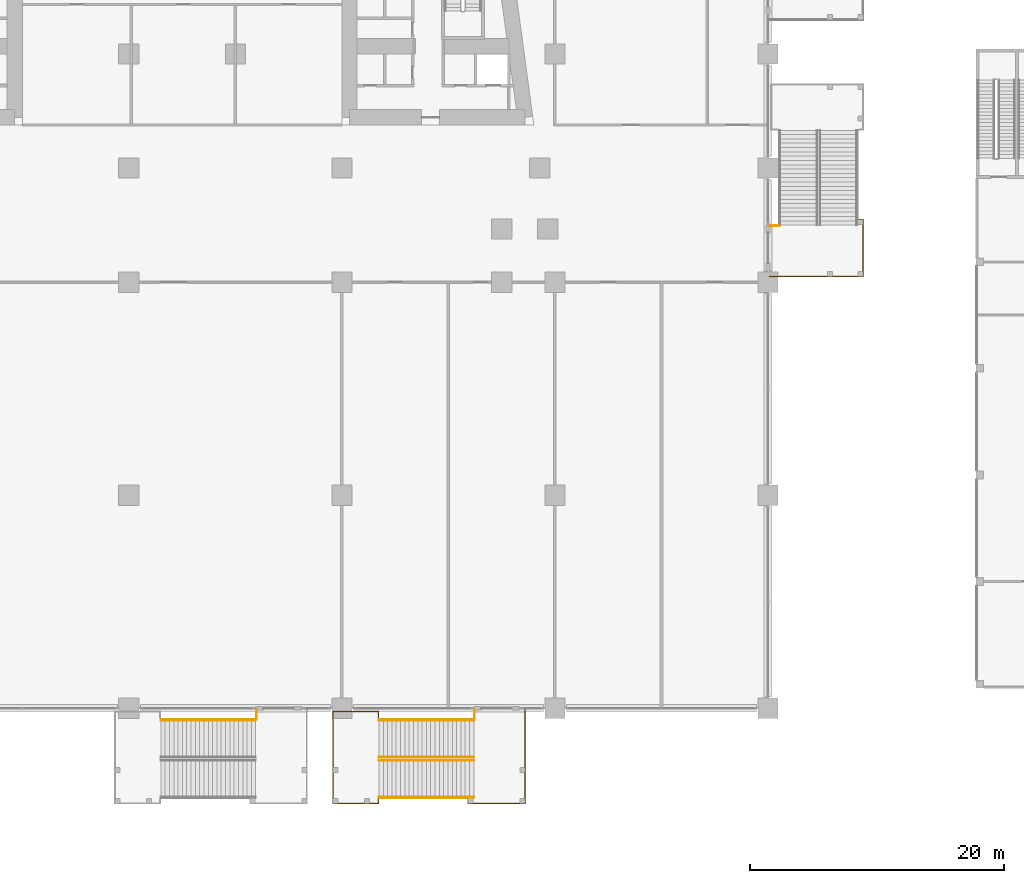
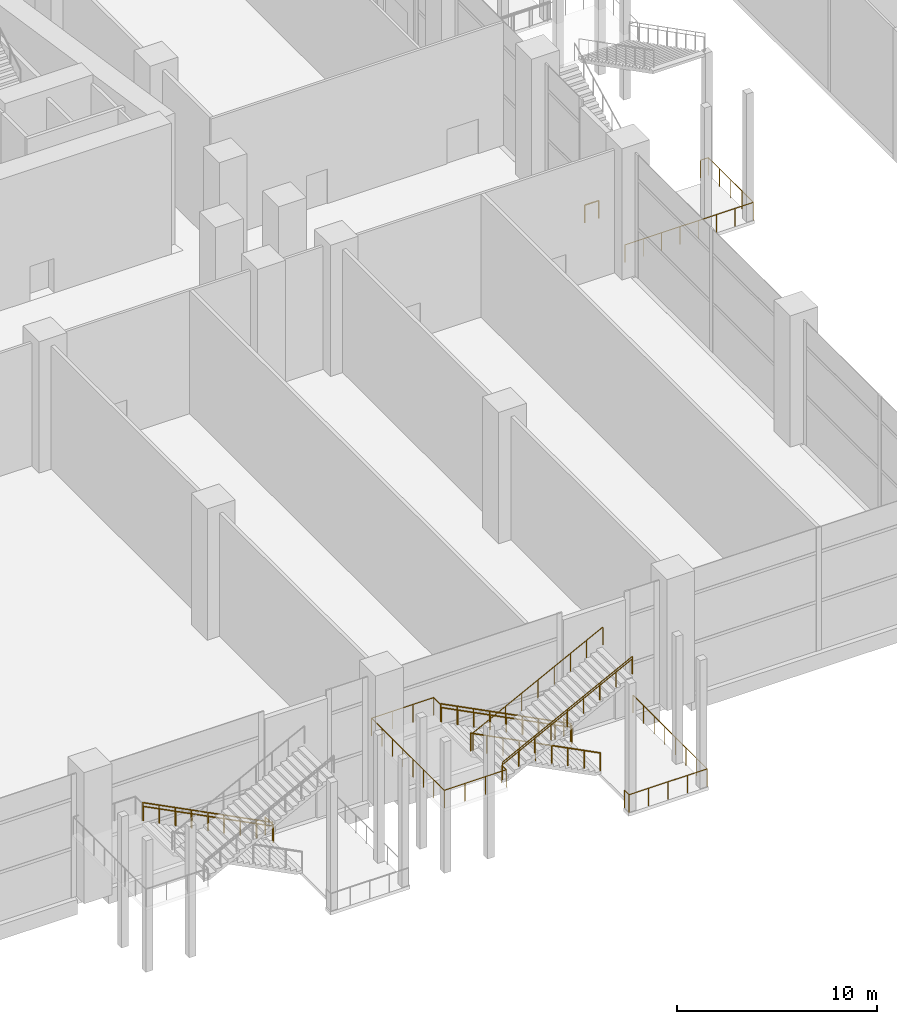
# One storey, part 41 of 52: 14 railings.
"""IFC4 building model written with IfcOpenShell, lengths in metres."""

from ifc_helpers import new_model, si_unit, direction, frame, origin, origin_2d, place, context, subcontext, project, spatial, circle, extrude, material, type_object, element, save


model = new_model("IFC4")

# Units and contexts
model_context = context("Model", 3, precision=1e-05, world=origin(), true_north=direction((0.0, 1.0)))
body_context = subcontext(model_context, "Body", "Model", "MODEL_VIEW")
ifc_project = project(units=[si_unit("LENGTHUNIT", "METRE"), si_unit("AREAUNIT", "SQUARE_METRE"), si_unit("VOLUMEUNIT", "CUBIC_METRE"), si_unit("PLANEANGLEUNIT", "RADIAN"), si_unit("MASSUNIT", "GRAM", prefix="KILO")], contexts=[model_context])

# Site, building, storey
site_placement = place(None, origin())
site = spatial("IfcSite", under=ifc_project, at=site_placement, CompositionType="ELEMENT")
building_placement = place(site_placement, origin())
building = spatial("IfcBuilding", under=site, at=building_placement, Name="Candeia Pilgrim Tower and Theatre", CompositionType="ELEMENT")
storey_placement = place(building_placement, frame((0.0, 0.0, 9.0)))
storey = spatial("IfcBuildingStorey", under=building, at=storey_placement, Name="L01", CompositionType="ELEMENT", Elevation=9.0)

# Railings
ifc_material_1 = material(Name="Stainless steel balustrade", Category="steel")
railing_type_1 = type_object("IfcRailingType", Name="RL-GUARD-1100", PredefinedType="GUARDRAIL", material=ifc_material_1)
railing_1_placement = place(storey_placement, frame((159.699951171875, 98.449951171875, 0.0)))
element("IfcRailing", 1, at=railing_1_placement, inside=storey, type_object=railing_type_1, Name="L01 External escape stair ES1 landing guard", PredefinedType="GUARDRAIL", context=body_context, shape_type="SweptSolid", body=[
    extrude(circle(Radius=0.02392578125, at=origin_2d()), frame((0.0, 0.0, 1.076171875), z_axis=(1.0, 0.0, 0.0), x_axis=(0.0, 1.0, 0.0)), (0.0, 0.0, 1.0), 7.400146484375),
    extrude(circle(Radius=0.02392578125, at=origin_2d()), frame((7.400146484375, 0.0, 1.076171875), z_axis=(0.0, 1.0, 0.0), x_axis=(-1.0, 0.0, 0.0)), (0.0, 0.0, 1.0), 4.5),
    extrude(circle(Radius=0.02392578125, at=origin_2d()), frame((7.400146484375, 4.5, 1.076171875), z_axis=(-1.0, 0.0, 0.0), x_axis=(0.0, -1.0, 0.0)), (0.0, 0.0, 1.0), 0.4501953125),
    extrude(circle(Radius=0.02099609375, at=origin_2d()), origin(), (0.0, 0.0, 1.0), 1.052001953125),
    extrude(circle(Radius=0.02099609375, at=origin_2d()), frame((1.05712890625, 0.0, 0.0)), (0.0, 0.0, 1.0), 1.052001953125),
    extrude(circle(Radius=0.02099609375, at=origin_2d()), frame((2.1142578125, 0.0, 0.0)), (0.0, 0.0, 1.0), 1.052001953125),
    extrude(circle(Radius=0.02099609375, at=origin_2d()), frame((3.17138671875, 0.0, 0.0)), (0.0, 0.0, 1.0), 1.052001953125),
    extrude(circle(Radius=0.02099609375, at=origin_2d()), frame((4.228759765625, 0.0, 0.0)), (0.0, 0.0, 1.0), 1.052001953125),
    extrude(circle(Radius=0.02099609375, at=origin_2d()), frame((5.285888671875, 0.0, 0.0)), (0.0, 0.0, 1.0), 1.052001953125),
    extrude(circle(Radius=0.02099609375, at=origin_2d()), frame((6.343017578125, 0.0, 0.0)), (0.0, 0.0, 1.0), 1.052001953125),
    extrude(circle(Radius=0.02099609375, at=origin_2d()), frame((7.400146484375, 0.0, 0.0)), (0.0, 0.0, 1.0), 1.052001953125),
    extrude(circle(Radius=0.02099609375, at=origin_2d()), frame((7.400146484375, 1.125, 0.0)), (0.0, 0.0, 1.0), 1.052001953125),
    extrude(circle(Radius=0.02099609375, at=origin_2d()), frame((7.400146484375, 2.25, 0.0)), (0.0, 0.0, 1.0), 1.052001953125),
    extrude(circle(Radius=0.02099609375, at=origin_2d()), frame((7.400146484375, 3.375, 0.0)), (0.0, 0.0, 1.0), 1.052001953125),
    extrude(circle(Radius=0.02099609375, at=origin_2d()), frame((7.400146484375, 4.5, 0.0)), (0.0, 0.0, 1.0), 1.052001953125),
    extrude(circle(Radius=0.02099609375, at=origin_2d()), frame((6.949951171875, 4.5, 0.0)), (0.0, 0.0, 1.0), 1.052001953125),
])
railing_2_placement = place(storey_placement, frame((159.699951171875, 102.449951171875, 0.0)))
element("IfcRailing", 2, at=railing_2_placement, inside=storey, type_object=railing_type_1, Name="L01 External escape stair ES1 bridge guard", PredefinedType="GUARDRAIL", context=body_context, shape_type="SweptSolid", body=[
    extrude(circle(Radius=0.02392578125, at=origin_2d()), frame((0.0, 0.0, 1.076171875), z_axis=(1.0, 0.0, 0.0), x_axis=(0.0, 1.0, 0.0)), (0.0, 0.0, 1.0), 0.800048828125),
    extrude(circle(Radius=0.02099609375, at=origin_2d()), origin(), (0.0, 0.0, 1.0), 1.052001953125),
    extrude(circle(Radius=0.02099609375, at=origin_2d()), frame((0.800048828125, 0.0, 0.0)), (0.0, 0.0, 1.0), 1.052001953125),
])
railing_3_placement = place(storey_placement, frame((119.199951171875, 63.5, 0.173828125)))
element("IfcRailing", 3, at=railing_3_placement, inside=storey, type_object=railing_type_1, Name="L01 ES9 stair guard 3", PredefinedType="GUARDRAIL", context=body_context, shape_type="SweptSolid", body=[
    extrude(circle(Radius=0.02392578125, at=origin_2d()), frame((0.0, 0.0, 1.076171875), z_axis=(-0.890286522184, 0.0, 0.455400821714), x_axis=(0.0, -1.0, 0.0)), (0.0, 0.0, 1.0), 8.40185546875),
    extrude(circle(Radius=0.02099609375, at=origin_2d()), origin(), (0.0, 0.0, 1.0), 1.052001953125),
    extrude(circle(Radius=0.02099609375, at=origin_2d()), frame((-0.93505859375, 0.0, 0.478271484375)), (0.0, 0.0, 1.0), 1.052001953125),
    extrude(circle(Radius=0.02099609375, at=origin_2d()), frame((-1.8701171875, 0.0, 0.95654296875)), (0.0, 0.0, 1.0), 1.052001953125),
    extrude(circle(Radius=0.02099609375, at=origin_2d()), frame((-2.804931640625, 0.0, 1.434814453125)), (0.0, 0.0, 1.0), 1.052001953125),
    extrude(circle(Radius=0.02099609375, at=origin_2d()), frame((-3.739990234375, 0.0, 1.9130859375)), (0.0, 0.0, 1.0), 1.052001953125),
    extrude(circle(Radius=0.02099609375, at=origin_2d()), frame((-4.675048828125, 0.0, 2.391357421875)), (0.0, 0.0, 1.0), 1.052001953125),
    extrude(circle(Radius=0.02099609375, at=origin_2d()), frame((-5.60986328125, 0.0, 2.86962890625)), (0.0, 0.0, 1.0), 1.052001953125),
    extrude(circle(Radius=0.02099609375, at=origin_2d()), frame((-6.544921875, 0.0, 3.347900390625)), (0.0, 0.0, 1.0), 1.052001953125),
    extrude(circle(Radius=0.02099609375, at=origin_2d()), frame((-7.47998046875, 0.0, 3.826171875)), (0.0, 0.0, 1.0), 1.052001953125),
])
railing_4_placement = place(storey_placement, frame((119.25, 64.300048828125, 0.0)))
element("IfcRailing", 4, at=railing_4_placement, inside=storey, type_object=railing_type_1, Name="L01 External escape stair ES9 bridge guard", PredefinedType="GUARDRAIL", context=body_context, shape_type="SweptSolid", body=[
    extrude(circle(Radius=0.02392578125, at=origin_2d()), frame((0.0, 0.0, 1.076171875), z_axis=(0.0, -1.0, 0.0), x_axis=(1.0, 0.0, 0.0)), (0.0, 0.0, 1.0), 0.800048828125),
    extrude(circle(Radius=0.02099609375, at=origin_2d()), origin(), (0.0, 0.0, 1.0), 1.052001953125),
    extrude(circle(Radius=0.02099609375, at=origin_2d()), frame((0.0, -0.800048828125, 0.0)), (0.0, 0.0, 1.0), 1.052001953125),
])
railing_5_placement = place(storey_placement, frame((136.39990234375, 60.550048828125, 0.173828125)))
element("IfcRailing", 5, at=railing_5_placement, inside=storey, type_object=railing_type_1, Name="L01 ES16 stair guard 1", PredefinedType="GUARDRAIL", context=body_context, shape_type="SweptSolid", body=[
    extrude(circle(Radius=0.02392578125, at=origin_2d()), frame((0.0, 0.0, 1.076171875), z_axis=(-0.890286522184, 0.0, 0.455400821714), x_axis=(0.0, -1.0, 0.0)), (0.0, 0.0, 1.0), 8.40185546875),
    extrude(circle(Radius=0.02099609375, at=origin_2d()), origin(), (0.0, 0.0, 1.0), 1.052001953125),
    extrude(circle(Radius=0.02099609375, at=origin_2d()), frame((-0.93505859375, 0.0, 0.478271484375)), (0.0, 0.0, 1.0), 1.052001953125),
    extrude(circle(Radius=0.02099609375, at=origin_2d()), frame((-1.8701171875, 0.0, 0.95654296875)), (0.0, 0.0, 1.0), 1.052001953125),
    extrude(circle(Radius=0.02099609375, at=origin_2d()), frame((-2.804931640625, 0.0, 1.434814453125)), (0.0, 0.0, 1.0), 1.052001953125),
    extrude(circle(Radius=0.02099609375, at=origin_2d()), frame((-3.739990234375, 0.0, 1.9130859375)), (0.0, 0.0, 1.0), 1.052001953125),
    extrude(circle(Radius=0.02099609375, at=origin_2d()), frame((-4.675048828125, 0.0, 2.391357421875)), (0.0, 0.0, 1.0), 1.052001953125),
    extrude(circle(Radius=0.02099609375, at=origin_2d()), frame((-5.60986328125, 0.0, 2.86962890625)), (0.0, 0.0, 1.0), 1.052001953125),
    extrude(circle(Radius=0.02099609375, at=origin_2d()), frame((-6.544921875, 0.0, 3.347900390625)), (0.0, 0.0, 1.0), 1.052001953125),
    extrude(circle(Radius=0.02099609375, at=origin_2d()), frame((-7.47998046875, 0.0, 3.826171875)), (0.0, 0.0, 1.0), 1.052001953125),
])
railing_6_placement = place(storey_placement, frame((128.919921875, 60.300048828125, 4.173828125)))
element("IfcRailing", 6, at=railing_6_placement, inside=storey, type_object=railing_type_1, Name="L01 ES16 stair guard 2", PredefinedType="GUARDRAIL", context=body_context, shape_type="SweptSolid", body=[
    extrude(circle(Radius=0.02392578125, at=origin_2d()), frame((0.0, 0.0, 1.076171875), z_axis=(0.890286522184, 0.0, 0.455400821714), x_axis=(0.0, 1.0, 0.0)), (0.0, 0.0, 1.0), 8.40185546875),
    extrude(circle(Radius=0.02099609375, at=origin_2d()), origin(), (0.0, 0.0, 1.0), 1.052001953125),
    extrude(circle(Radius=0.02099609375, at=origin_2d()), frame((0.93505859375, 0.0, 0.478271484375)), (0.0, 0.0, 1.0), 1.052001953125),
    extrude(circle(Radius=0.02099609375, at=origin_2d()), frame((1.8701171875, 0.0, 0.95654296875)), (0.0, 0.0, 1.0), 1.052001953125),
    extrude(circle(Radius=0.02099609375, at=origin_2d()), frame((2.804931640625, 0.0, 1.434814453125)), (0.0, 0.0, 1.0), 1.052001953125),
    extrude(circle(Radius=0.02099609375, at=origin_2d()), frame((3.739990234375, 0.0, 1.9130859375)), (0.0, 0.0, 1.0), 1.052001953125),
    extrude(circle(Radius=0.02099609375, at=origin_2d()), frame((4.675048828125, 0.0, 2.391357421875)), (0.0, 0.0, 1.0), 1.052001953125),
    extrude(circle(Radius=0.02099609375, at=origin_2d()), frame((5.60986328125, 0.0, 2.86962890625)), (0.0, 0.0, 1.0), 1.052001953125),
    extrude(circle(Radius=0.02099609375, at=origin_2d()), frame((6.544921875, 0.0, 3.347900390625)), (0.0, 0.0, 1.0), 1.052001953125),
    extrude(circle(Radius=0.02099609375, at=origin_2d()), frame((7.47998046875, 0.0, 3.826171875)), (0.0, 0.0, 1.0), 1.052001953125),
])
railing_7_placement = place(storey_placement, frame((136.39990234375, 63.5, 0.173828125)))
element("IfcRailing", 7, at=railing_7_placement, inside=storey, type_object=railing_type_1, Name="L01 ES16 stair guard 3", PredefinedType="GUARDRAIL", context=body_context, shape_type="SweptSolid", body=[
    extrude(circle(Radius=0.02392578125, at=origin_2d()), frame((0.0, 0.0, 1.076171875), z_axis=(-0.890286522184, 0.0, 0.455400821714), x_axis=(0.0, -1.0, 0.0)), (0.0, 0.0, 1.0), 8.40185546875),
    extrude(circle(Radius=0.02099609375, at=origin_2d()), origin(), (0.0, 0.0, 1.0), 1.052001953125),
    extrude(circle(Radius=0.02099609375, at=origin_2d()), frame((-0.93505859375, 0.0, 0.478271484375)), (0.0, 0.0, 1.0), 1.052001953125),
    extrude(circle(Radius=0.02099609375, at=origin_2d()), frame((-1.8701171875, 0.0, 0.95654296875)), (0.0, 0.0, 1.0), 1.052001953125),
    extrude(circle(Radius=0.02099609375, at=origin_2d()), frame((-2.804931640625, 0.0, 1.434814453125)), (0.0, 0.0, 1.0), 1.052001953125),
    extrude(circle(Radius=0.02099609375, at=origin_2d()), frame((-3.739990234375, 0.0, 1.9130859375)), (0.0, 0.0, 1.0), 1.052001953125),
    extrude(circle(Radius=0.02099609375, at=origin_2d()), frame((-4.675048828125, 0.0, 2.391357421875)), (0.0, 0.0, 1.0), 1.052001953125),
    extrude(circle(Radius=0.02099609375, at=origin_2d()), frame((-5.60986328125, 0.0, 2.86962890625)), (0.0, 0.0, 1.0), 1.052001953125),
    extrude(circle(Radius=0.02099609375, at=origin_2d()), frame((-6.544921875, 0.0, 3.347900390625)), (0.0, 0.0, 1.0), 1.052001953125),
    extrude(circle(Radius=0.02099609375, at=origin_2d()), frame((-7.47998046875, 0.0, 3.826171875)), (0.0, 0.0, 1.0), 1.052001953125),
])
railing_8_placement = place(storey_placement, frame((128.919921875, 57.35009765625, 4.173828125)))
element("IfcRailing", 8, at=railing_8_placement, inside=storey, type_object=railing_type_1, Name="L01 ES16 stair guard 4", PredefinedType="GUARDRAIL", context=body_context, shape_type="SweptSolid", body=[
    extrude(circle(Radius=0.02392578125, at=origin_2d()), frame((0.0, 0.0, 1.076171875), z_axis=(0.890286522184, 0.0, 0.455400821714), x_axis=(0.0, 1.0, 0.0)), (0.0, 0.0, 1.0), 8.40185546875),
    extrude(circle(Radius=0.02099609375, at=origin_2d()), origin(), (0.0, 0.0, 1.0), 1.052001953125),
    extrude(circle(Radius=0.02099609375, at=origin_2d()), frame((0.93505859375, 0.0, 0.478271484375)), (0.0, 0.0, 1.0), 1.052001953125),
    extrude(circle(Radius=0.02099609375, at=origin_2d()), frame((1.8701171875, 0.0, 0.95654296875)), (0.0, 0.0, 1.0), 1.052001953125),
    extrude(circle(Radius=0.02099609375, at=origin_2d()), frame((2.804931640625, 0.0, 1.434814453125)), (0.0, 0.0, 1.0), 1.052001953125),
    extrude(circle(Radius=0.02099609375, at=origin_2d()), frame((3.739990234375, 0.0, 1.9130859375)), (0.0, 0.0, 1.0), 1.052001953125),
    extrude(circle(Radius=0.02099609375, at=origin_2d()), frame((4.675048828125, 0.0, 2.391357421875)), (0.0, 0.0, 1.0), 1.052001953125),
    extrude(circle(Radius=0.02099609375, at=origin_2d()), frame((5.60986328125, 0.0, 2.86962890625)), (0.0, 0.0, 1.0), 1.052001953125),
    extrude(circle(Radius=0.02099609375, at=origin_2d()), frame((6.544921875, 0.0, 3.347900390625)), (0.0, 0.0, 1.0), 1.052001953125),
    extrude(circle(Radius=0.02099609375, at=origin_2d()), frame((7.47998046875, 0.0, 3.826171875)), (0.0, 0.0, 1.0), 1.052001953125),
])
railing_9_placement = place(storey_placement, frame((128.8701171875, 63.5, 4.0)))
element("IfcRailing", 9, at=railing_9_placement, inside=storey, type_object=railing_type_1, Name="L01 ES16 stair guard 5", PredefinedType="GUARDRAIL", context=body_context, shape_type="SweptSolid", body=[
    extrude(circle(Radius=0.02392578125, at=origin_2d()), frame((0.0, 0.0, 1.076171875), z_axis=(0.0, 1.0, 0.0), x_axis=(-1.0, 0.0, 0.0)), (0.0, 0.0, 1.0), 0.64990234375),
    extrude(circle(Radius=0.02392578125, at=origin_2d()), frame((0.0, 0.64990234375, 1.076171875), z_axis=(-1.0, 0.0, 0.0), x_axis=(0.0, -1.0, 0.0)), (0.0, 0.0, 1.0), 3.580078125),
    extrude(circle(Radius=0.02392578125, at=origin_2d()), frame((-3.580078125, 0.64990234375, 1.076171875), z_axis=(0.0, -1.0, 0.0), x_axis=(1.0, 0.0, 0.0)), (0.0, 0.0, 1.0), 7.25),
    extrude(circle(Radius=0.02392578125, at=origin_2d()), frame((-3.580078125, -6.60009765625, 1.076171875), z_axis=(1.0, 0.0, 0.0), x_axis=(0.0, 1.0, 0.0)), (0.0, 0.0, 1.0), 3.580078125),
    extrude(circle(Radius=0.02392578125, at=origin_2d()), frame((0.0, -6.60009765625, 1.076171875), z_axis=(0.0, 1.0, 0.0), x_axis=(-1.0, 0.0, 0.0)), (0.0, 0.0, 1.0), 0.4501953125),
    extrude(circle(Radius=0.02099609375, at=origin_2d()), origin(), (0.0, 0.0, 1.0), 1.052001953125),
    extrude(circle(Radius=0.02099609375, at=origin_2d()), frame((0.0, 0.64990234375, 0.0)), (0.0, 0.0, 1.0), 1.052001953125),
    extrude(circle(Radius=0.02099609375, at=origin_2d()), frame((-1.193359375, 0.64990234375, 0.0)), (0.0, 0.0, 1.0), 1.052001953125),
    extrude(circle(Radius=0.02099609375, at=origin_2d()), frame((-2.38671875, 0.64990234375, 0.0)), (0.0, 0.0, 1.0), 1.052001953125),
    extrude(circle(Radius=0.02099609375, at=origin_2d()), frame((-3.580078125, 0.64990234375, 0.0)), (0.0, 0.0, 1.0), 1.052001953125),
    extrude(circle(Radius=0.02099609375, at=origin_2d()), frame((-3.580078125, -0.3857421875, 0.0)), (0.0, 0.0, 1.0), 1.052001953125),
    extrude(circle(Radius=0.02099609375, at=origin_2d()), frame((-3.580078125, -1.421630859375, 0.0)), (0.0, 0.0, 1.0), 1.052001953125),
    extrude(circle(Radius=0.02099609375, at=origin_2d()), frame((-3.580078125, -2.457275390625, 0.0)), (0.0, 0.0, 1.0), 1.052001953125),
    extrude(circle(Radius=0.02099609375, at=origin_2d()), frame((-3.580078125, -3.492919921875, 0.0)), (0.0, 0.0, 1.0), 1.052001953125),
    extrude(circle(Radius=0.02099609375, at=origin_2d()), frame((-3.580078125, -4.528564453125, 0.0)), (0.0, 0.0, 1.0), 1.052001953125),
    extrude(circle(Radius=0.02099609375, at=origin_2d()), frame((-3.580078125, -5.564453125, 0.0)), (0.0, 0.0, 1.0), 1.052001953125),
    extrude(circle(Radius=0.02099609375, at=origin_2d()), frame((-3.580078125, -6.60009765625, 0.0)), (0.0, 0.0, 1.0), 1.052001953125),
    extrude(circle(Radius=0.02099609375, at=origin_2d()), frame((-2.38671875, -6.60009765625, 0.0)), (0.0, 0.0, 1.0), 1.052001953125),
    extrude(circle(Radius=0.02099609375, at=origin_2d()), frame((-1.193359375, -6.60009765625, 0.0)), (0.0, 0.0, 1.0), 1.052001953125),
    extrude(circle(Radius=0.02099609375, at=origin_2d()), frame((0.0, -6.60009765625, 0.0)), (0.0, 0.0, 1.0), 1.052001953125),
    extrude(circle(Radius=0.02099609375, at=origin_2d()), frame((0.0, -6.14990234375, 0.0)), (0.0, 0.0, 1.0), 1.052001953125),
])
railing_10_placement = place(storey_placement, frame((140.449951171875, 64.300048828125, 0.0)))
element("IfcRailing", 10, at=railing_10_placement, inside=storey, type_object=railing_type_1, Name="L01 External escape stair ES16 landing guard", PredefinedType="GUARDRAIL", context=body_context, shape_type="SweptSolid", body=[
    extrude(circle(Radius=0.02392578125, at=origin_2d()), frame((0.0, 0.0, 1.076171875), z_axis=(0.0, -1.0, 0.0), x_axis=(1.0, 0.0, 0.0)), (0.0, 0.0, 1.0), 7.400146484375),
    extrude(circle(Radius=0.02392578125, at=origin_2d()), frame((0.0, -7.400146484375, 1.076171875), z_axis=(-1.0, 0.0, 0.0), x_axis=(0.0, -1.0, 0.0)), (0.0, 0.0, 1.0), 4.5),
    extrude(circle(Radius=0.02392578125, at=origin_2d()), frame((-4.5, -7.400146484375, 1.076171875), z_axis=(0.0, 1.0, 0.0), x_axis=(-1.0, 0.0, 0.0)), (0.0, 0.0, 1.0), 0.4501953125),
    extrude(circle(Radius=0.02099609375, at=origin_2d()), origin(), (0.0, 0.0, 1.0), 1.052001953125),
    extrude(circle(Radius=0.02099609375, at=origin_2d()), frame((0.0, -1.05712890625, 0.0)), (0.0, 0.0, 1.0), 1.052001953125),
    extrude(circle(Radius=0.02099609375, at=origin_2d()), frame((0.0, -2.1142578125, 0.0)), (0.0, 0.0, 1.0), 1.052001953125),
    extrude(circle(Radius=0.02099609375, at=origin_2d()), frame((0.0, -3.17138671875, 0.0)), (0.0, 0.0, 1.0), 1.052001953125),
    extrude(circle(Radius=0.02099609375, at=origin_2d()), frame((0.0, -4.228759765625, 0.0)), (0.0, 0.0, 1.0), 1.052001953125),
    extrude(circle(Radius=0.02099609375, at=origin_2d()), frame((0.0, -5.285888671875, 0.0)), (0.0, 0.0, 1.0), 1.052001953125),
    extrude(circle(Radius=0.02099609375, at=origin_2d()), frame((0.0, -6.343017578125, 0.0)), (0.0, 0.0, 1.0), 1.052001953125),
    extrude(circle(Radius=0.02099609375, at=origin_2d()), frame((0.0, -7.400146484375, 0.0)), (0.0, 0.0, 1.0), 1.052001953125),
    extrude(circle(Radius=0.02099609375, at=origin_2d()), frame((-1.125, -7.400146484375, 0.0)), (0.0, 0.0, 1.0), 1.052001953125),
    extrude(circle(Radius=0.02099609375, at=origin_2d()), frame((-2.25, -7.400146484375, 0.0)), (0.0, 0.0, 1.0), 1.052001953125),
    extrude(circle(Radius=0.02099609375, at=origin_2d()), frame((-3.375, -7.400146484375, 0.0)), (0.0, 0.0, 1.0), 1.052001953125),
    extrude(circle(Radius=0.02099609375, at=origin_2d()), frame((-4.5, -7.400146484375, 0.0)), (0.0, 0.0, 1.0), 1.052001953125),
    extrude(circle(Radius=0.02099609375, at=origin_2d()), frame((-4.5, -6.949951171875, 0.0)), (0.0, 0.0, 1.0), 1.052001953125),
])
railing_11_placement = place(storey_placement, frame((136.449951171875, 64.300048828125, 0.0)))
element("IfcRailing", 11, at=railing_11_placement, inside=storey, type_object=railing_type_1, Name="L01 External escape stair ES16 bridge guard", PredefinedType="GUARDRAIL", context=body_context, shape_type="SweptSolid", body=[
    extrude(circle(Radius=0.02392578125, at=origin_2d()), frame((0.0, 0.0, 1.076171875), z_axis=(0.0, -1.0, 0.0), x_axis=(1.0, 0.0, 0.0)), (0.0, 0.0, 1.0), 0.800048828125),
    extrude(circle(Radius=0.02099609375, at=origin_2d()), origin(), (0.0, 0.0, 1.0), 1.052001953125),
    extrude(circle(Radius=0.02099609375, at=origin_2d()), frame((0.0, -0.800048828125, 0.0)), (0.0, 0.0, 1.0), 1.052001953125),
])
ifc_material_2 = material(Name="Stainless steel handrail", Category="steel")
railing_type_2 = type_object("IfcRailingType", Name="RL-HANDRAIL-900", PredefinedType="HANDRAIL", material=ifc_material_2)
for number, where, name in (
    (12, (119.199951171875, 63.449951171875, 0.173828125), "L01 ES9 stair handrail 1"),
    (13, (136.39990234375, 63.449951171875, 0.173828125), "L01 ES16 stair handrail 1"),
):
    element("IfcRailing", number, at=place(storey_placement, frame(where)), inside=storey, type_object=railing_type_2, Name=name, PredefinedType="HANDRAIL", context=body_context, shape_type="SweptSolid", body=[
        extrude(circle(Radius=0.02392578125, at=origin_2d()), frame((0.0, 0.0, 0.8759765625), z_axis=(-0.890286522184, 0.0, 0.455400821714), x_axis=(0.0, -1.0, 0.0)), (0.0, 0.0, 1.0), 8.40185546875),
        extrude(circle(Radius=0.02099609375, at=origin_2d()), origin(), (0.0, 0.0, 1.0), 0.851806640625),
        extrude(circle(Radius=0.02099609375, at=origin_2d()), frame((-0.93505859375, 0.0, 0.478271484375)), (0.0, 0.0, 1.0), 0.851806640625),
        extrude(circle(Radius=0.02099609375, at=origin_2d()), frame((-1.8701171875, 0.0, 0.95654296875)), (0.0, 0.0, 1.0), 0.851806640625),
        extrude(circle(Radius=0.02099609375, at=origin_2d()), frame((-2.804931640625, 0.0, 1.434814453125)), (0.0, 0.0, 1.0), 0.851806640625),
        extrude(circle(Radius=0.02099609375, at=origin_2d()), frame((-3.739990234375, 0.0, 1.9130859375)), (0.0, 0.0, 1.0), 0.851806640625),
        extrude(circle(Radius=0.02099609375, at=origin_2d()), frame((-4.675048828125, 0.0, 2.391357421875)), (0.0, 0.0, 1.0), 0.851806640625),
        extrude(circle(Radius=0.02099609375, at=origin_2d()), frame((-5.60986328125, 0.0, 2.86962890625)), (0.0, 0.0, 1.0), 0.851806640625),
        extrude(circle(Radius=0.02099609375, at=origin_2d()), frame((-6.544921875, 0.0, 3.347900390625)), (0.0, 0.0, 1.0), 0.851806640625),
        extrude(circle(Radius=0.02099609375, at=origin_2d()), frame((-7.47998046875, 0.0, 3.826171875)), (0.0, 0.0, 1.0), 0.851806640625),
    ])
railing_12_placement = place(storey_placement, frame((128.919921875, 57.39990234375, 4.173828125)))
element("IfcRailing", 14, at=railing_12_placement, inside=storey, type_object=railing_type_2, Name="L01 ES16 stair handrail 2", PredefinedType="HANDRAIL", context=body_context, shape_type="SweptSolid", body=[
    extrude(circle(Radius=0.02392578125, at=origin_2d()), frame((0.0, 0.0, 0.8759765625), z_axis=(0.890286522184, 0.0, 0.455400821714), x_axis=(0.0, 1.0, 0.0)), (0.0, 0.0, 1.0), 8.40185546875),
    extrude(circle(Radius=0.02099609375, at=origin_2d()), origin(), (0.0, 0.0, 1.0), 0.851806640625),
    extrude(circle(Radius=0.02099609375, at=origin_2d()), frame((0.93505859375, 0.0, 0.478271484375)), (0.0, 0.0, 1.0), 0.851806640625),
    extrude(circle(Radius=0.02099609375, at=origin_2d()), frame((1.8701171875, 0.0, 0.95654296875)), (0.0, 0.0, 1.0), 0.851806640625),
    extrude(circle(Radius=0.02099609375, at=origin_2d()), frame((2.804931640625, 0.0, 1.434814453125)), (0.0, 0.0, 1.0), 0.851806640625),
    extrude(circle(Radius=0.02099609375, at=origin_2d()), frame((3.739990234375, 0.0, 1.9130859375)), (0.0, 0.0, 1.0), 0.851806640625),
    extrude(circle(Radius=0.02099609375, at=origin_2d()), frame((4.675048828125, 0.0, 2.391357421875)), (0.0, 0.0, 1.0), 0.851806640625),
    extrude(circle(Radius=0.02099609375, at=origin_2d()), frame((5.60986328125, 0.0, 2.86962890625)), (0.0, 0.0, 1.0), 0.851806640625),
    extrude(circle(Radius=0.02099609375, at=origin_2d()), frame((6.544921875, 0.0, 3.347900390625)), (0.0, 0.0, 1.0), 0.851806640625),
    extrude(circle(Radius=0.02099609375, at=origin_2d()), frame((7.47998046875, 0.0, 3.826171875)), (0.0, 0.0, 1.0), 0.851806640625),
])

save(model, "model.ifc")
